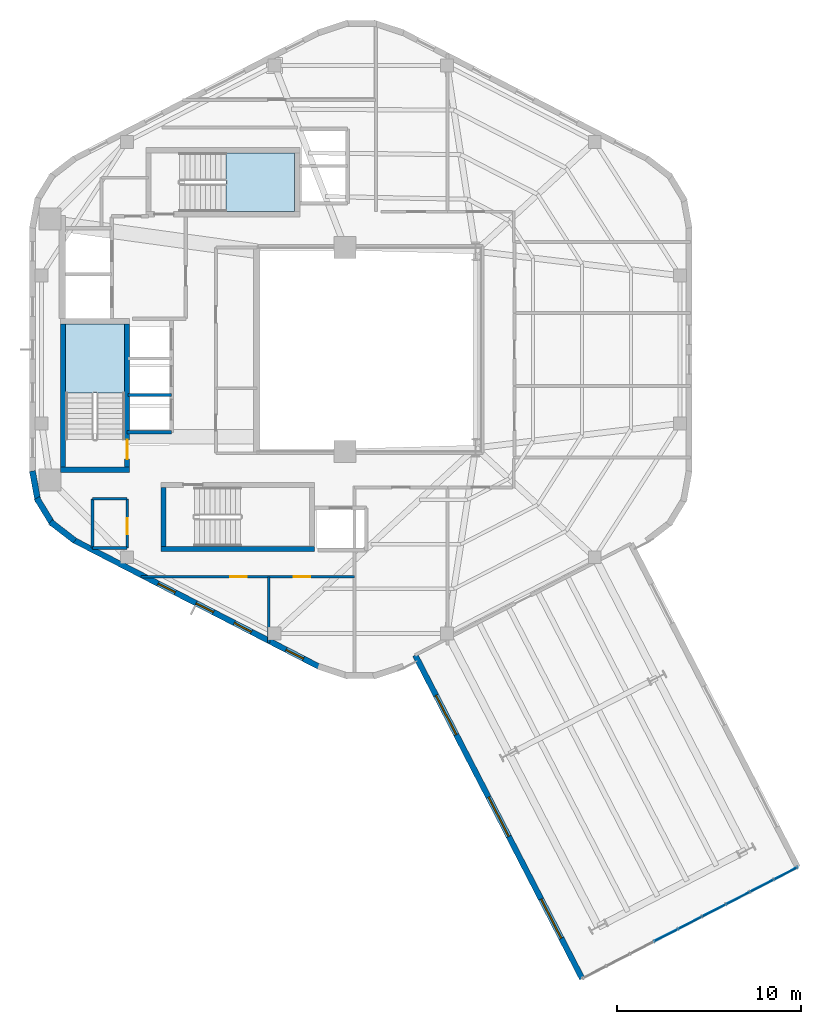
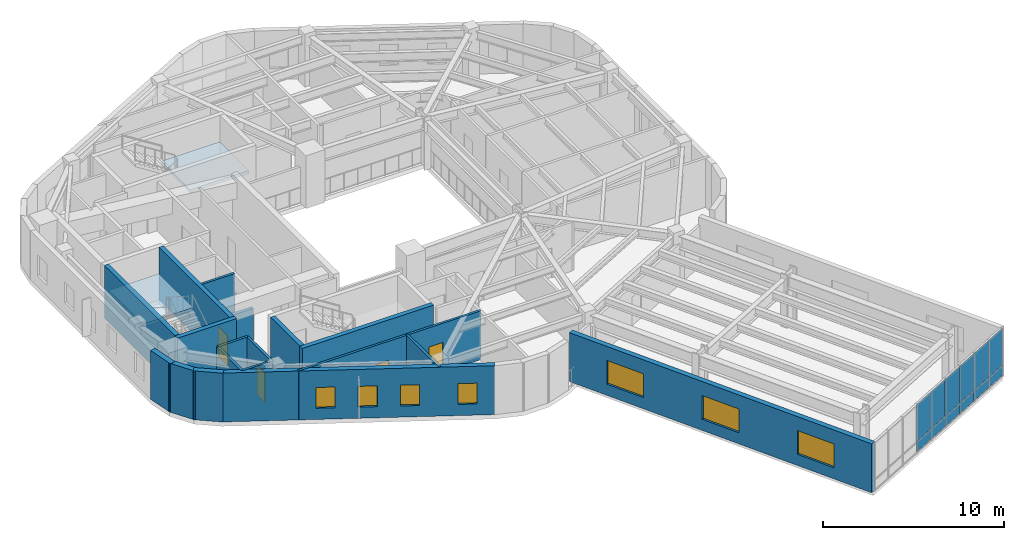
# One storey, part 6 of 11: 18 walls, 12 plates, 7 windows, 4 doors, 2 slabs, 11 openings, 3 elements without a shape of their own.
"""IFC4 building model written with IfcOpenShell, lengths in metres."""

from ifc_helpers import new_model, si_unit, direction, frame, frame_2d, origin, origin_2d, place, context, subcontext, project, spatial, polyline, rectangle, outline, extrude, material, layer, layer_set, type_object, element, fill, aggregate, save


model = new_model("IFC4")

# Units and contexts
model_context = context("Model", 3, precision=1e-05, world=origin(), true_north=direction((0.0, 1.0)))
body_context = subcontext(model_context, "Body", "Model", "MODEL_VIEW")
ifc_project = project(units=[si_unit("LENGTHUNIT", "METRE"), si_unit("AREAUNIT", "SQUARE_METRE"), si_unit("VOLUMEUNIT", "CUBIC_METRE"), si_unit("PLANEANGLEUNIT", "RADIAN"), si_unit("MASSUNIT", "GRAM", prefix="KILO"), si_unit("THERMODYNAMICTEMPERATUREUNIT", "KELVIN"), si_unit("POWERUNIT", "WATT")], contexts=[model_context])

# Site, building, storey
site_placement = place(None, origin())
site = spatial("IfcSite", under=ifc_project, at=site_placement, CompositionType="ELEMENT")
building_placement = place(site_placement, origin())
building = spatial("IfcBuilding", under=site, at=building_placement, Name="Skarre Station Tower", CompositionType="ELEMENT")
storey_placement = place(building_placement, frame((0.0, 0.0, 241.89990234375)))
storey = spatial("IfcBuildingStorey", under=building, at=storey_placement, Name="L66", CompositionType="ELEMENT", Elevation=241.89990234375)

# Curtain wall, plates
ifc_material_1 = material(Name="Thermally Broken Bronze-Anodized Aluminium & Triple Low-E Glass", Category="aluminium")
ifc_layer_1 = layer(ifc_material_1, 0.2099609375, Name="Thermally Broken Bronze-Anodized Aluminium & Triple Low-E Glass")
ifc_layer_set_1 = layer_set([ifc_layer_1], Name="Thermally Broken Bronze-Anodized Aluminium & Triple Low-E Glass")
curtain_wall_type = type_object("IfcCurtainWallType", Name="Sky-Bar Prow Structural Glazed Curtain Wall", PredefinedType="NOTDEFINED", material=ifc_layer_set_1)
curtain_wall_placement = place(storey_placement, origin())
curtain_wall = element("IfcCurtainWall", 1, at=curtain_wall_placement, inside=storey, type_object=curtain_wall_type, Name="L66 SB-5 Lakefront Prow Curtain Wall", PredefinedType="NOTDEFINED")
ifc_material_2 = material(Name="Insulated Bronze Anodized Aluminium Spandrel", Category="aluminium")
ifc_layer_2 = layer(ifc_material_2, 0.052001953125, Name="Insulated Bronze Anodized Aluminium Spandrel")
ifc_layer_set_2 = layer_set([ifc_layer_2], Name="Insulated Bronze Anodized Aluminium Spandrel")
plate_type_1 = type_object("IfcPlateType", Name="Bronze Insulated Spandrel Sheet Panel 52", PredefinedType="SHEET", material=ifc_layer_set_2)
plate_1_placement = place(storey_placement, frame((56.318115234375, -4.4970703125, 0.052001953125), z_axis=(0.0, 0.0, 1.0), x_axis=(-0.888577204547, -0.45872709922, 0.0)))
plate_1 = element("IfcPlate", 2, at=plate_1_placement, type_object=plate_type_1, Name="L66 SB-5 Lakefront Prow Curtain Wall Spandrel Panel 1-1", PredefinedType="SHEET", context=body_context, shape_type="SweptSolid", body=[
    extrude(rectangle(XDim=1.443115234375, YDim=0.052001953125, at=origin_2d()), origin(), (0.0, 0.0, 1.0), 0.68603515625),
])
plate_2_placement = place(storey_placement, frame((55.014892578125, -5.169921875, 0.052001953125), z_axis=(0.0, 0.0, 1.0), x_axis=(-0.888577204547, -0.45872709922, 0.0)))
plate_2 = element("IfcPlate", 3, at=plate_2_placement, type_object=plate_type_1, Name="L66 SB-5 Lakefront Prow Curtain Wall Spandrel Panel 2-1", PredefinedType="SHEET", context=body_context, shape_type="SweptSolid", body=[
    extrude(rectangle(XDim=1.443115234375, YDim=0.052001953125, at=origin_2d()), origin(), (0.0, 0.0, 1.0), 0.68603515625),
])
plate_3_placement = place(storey_placement, frame((53.7119140625, -5.843017578125, 0.052001953125), z_axis=(0.0, 0.0, 1.0), x_axis=(-0.888577204547, -0.45872709922, 0.0)))
plate_3 = element("IfcPlate", 4, at=plate_3_placement, type_object=plate_type_1, Name="L66 SB-5 Lakefront Prow Curtain Wall Spandrel Panel 3-1", PredefinedType="SHEET", context=body_context, shape_type="SweptSolid", body=[
    extrude(rectangle(XDim=1.443115234375, YDim=0.052001953125, at=origin_2d()), origin(), (0.0, 0.0, 1.0), 0.68603515625),
])
plate_4_placement = place(storey_placement, frame((52.408935546875, -6.51611328125, 0.052001953125), z_axis=(0.0, 0.0, 1.0), x_axis=(-0.888577204547, -0.45872709922, 0.0)))
plate_4 = element("IfcPlate", 5, at=plate_4_placement, type_object=plate_type_1, Name="L66 SB-5 Lakefront Prow Curtain Wall Spandrel Panel 4-1", PredefinedType="SHEET", context=body_context, shape_type="SweptSolid", body=[
    extrude(rectangle(XDim=1.443115234375, YDim=0.052001953125, at=origin_2d()), origin(), (0.0, 0.0, 1.0), 0.68603515625),
])
plate_5_placement = place(storey_placement, frame((51.10498046875, -7.18798828125, 0.052001953125), z_axis=(0.0, 0.0, 1.0), x_axis=(-0.888577204547, -0.45872709922, 0.0)))
plate_5 = element("IfcPlate", 6, at=plate_5_placement, type_object=plate_type_1, Name="L66 SB-5 Lakefront Prow Curtain Wall Spandrel Panel 5-1", PredefinedType="SHEET", context=body_context, shape_type="SweptSolid", body=[
    extrude(rectangle(XDim=1.443115234375, YDim=0.052001953125, at=origin_2d()), origin(), (0.0, 0.0, 1.0), 0.68603515625),
])
plate_6_placement = place(storey_placement, frame((49.802001953125, -7.861083984375, 0.052001953125), z_axis=(0.0, 0.0, 1.0), x_axis=(-0.888577204547, -0.45872709922, 0.0)))
plate_6 = element("IfcPlate", 7, at=plate_6_placement, type_object=plate_type_1, Name="L66 SB-5 Lakefront Prow Curtain Wall Spandrel Panel 6-1", PredefinedType="SHEET", context=body_context, shape_type="SweptSolid", body=[
    extrude(rectangle(XDim=1.443115234375, YDim=0.052001953125, at=origin_2d()), origin(), (0.0, 0.0, 1.0), 0.68603515625),
])

# Stair, slab
ifc_material_3 = material(Name="Concrete C40/50", Category="concrete")
stair_type_1 = type_object("IfcStairType", Name="Reinforced Concrete Exit Stair ST-1", PredefinedType="HALF_TURN_STAIR", material=ifc_material_3)
stair_1_placement = place(storey_placement, origin())
stair_1 = element("IfcStair", 8, at=stair_1_placement, inside=storey, type_object=stair_type_1, Name="L66 Core Exit Stair ST-1", PredefinedType="HALF_TURN_STAIR")
ifc_layer_3 = layer(ifc_material_3, 0.219970703125, Name="Concrete C40/50")
ifc_layer_set_3 = layer_set([ifc_layer_3], Name="Concrete C40/50")
slab_type = type_object("IfcSlabType", Name="Reinforced Concrete Stair & Ramp Landing 220", PredefinedType="LANDING", material=ifc_layer_set_3)
slab_1_placement = place(storey_placement, frame((0.0, 0.0, 1.5751953125)))
slab_1 = element("IfcSlab", 9, at=slab_1_placement, type_object=slab_type, Name="ST-1 landing 1", PredefinedType="LANDING", context=body_context, shape_type="SweptSolid", body=[
    extrude(outline(polyline([(20.35009765625, 21.639892578125), (20.35009765625, 25.39990234375), (17.14990234375, 25.39990234375), (17.14990234375, 21.639892578125), (20.35009765625, 21.639892578125)])), origin(), (0.0, 0.0, 1.0), 0.199951171875),
])
aggregate(stair_1, [slab_1])

stair_type_2 = type_object("IfcStairType", Name="Reinforced Concrete Exit Stair ST-3", PredefinedType="HALF_TURN_STAIR", material=ifc_material_3)
stair_2_placement = place(storey_placement, origin())
stair_2 = element("IfcStair", 10, at=stair_2_placement, inside=storey, type_object=stair_type_2, Name="L66 Core Exit Stair ST-3", PredefinedType="HALF_TURN_STAIR")
slab_2_placement = place(storey_placement, frame((0.0, 0.0, 1.5751953125)))
slab_2 = element("IfcSlab", 11, at=slab_2_placement, type_object=slab_type, Name="ST-3 landing 1", PredefinedType="LANDING", context=body_context, shape_type="SweptSolid", body=[
    extrude(outline(polyline([(25.8701171875, 31.5), (29.60009765625, 31.5), (29.60009765625, 34.699951171875), (25.8701171875, 34.699951171875), (25.8701171875, 31.5)])), origin(), (0.0, 0.0, 1.0), 0.199951171875),
])
aggregate(stair_2, [slab_2])

# Plate
ifc_material_4 = material(Name="Low-Iron Triple Insulating Glass Unit", Category="glass")
ifc_layer_4 = layer(ifc_material_4, 0.0439453125, Name="Low-Iron Triple Insulating Glass Unit")
ifc_layer_set_4 = layer_set([ifc_layer_4], Name="Low-Iron Triple Insulating Glass Unit")
plate_type_2 = type_object("IfcPlateType", Name="Triple-Glazed Vision Curtain Panel 44", PredefinedType="CURTAIN_PANEL", material=ifc_layer_set_4)
plate_7_placement = place(storey_placement, frame((56.318115234375, -4.4970703125, 0.761962890625), z_axis=(0.0, 0.0, 1.0), x_axis=(-0.888577204547, -0.45872709922, 0.0)))
plate_7 = element("IfcPlate", 12, at=plate_7_placement, type_object=plate_type_2, Name="L66 SB-5 Lakefront Prow Curtain Wall Vision Panel 1-2", PredefinedType="CURTAIN_PANEL", context=body_context, shape_type="SweptSolid", body=[
    extrude(rectangle(XDim=1.443115234375, YDim=0.0439453125, at=origin_2d()), origin(), (0.0, 0.0, 1.0), 2.47607421875),
])

plate_8_placement = place(storey_placement, frame((55.014892578125, -5.169921875, 0.761962890625), z_axis=(0.0, 0.0, 1.0), x_axis=(-0.888577204547, -0.45872709922, 0.0)))
plate_8 = element("IfcPlate", 13, at=plate_8_placement, type_object=plate_type_2, Name="L66 SB-5 Lakefront Prow Curtain Wall Vision Panel 2-2", PredefinedType="CURTAIN_PANEL", context=body_context, shape_type="SweptSolid", body=[
    extrude(rectangle(XDim=1.443115234375, YDim=0.0439453125, at=origin_2d()), origin(), (0.0, 0.0, 1.0), 2.47607421875),
])

plate_9_placement = place(storey_placement, frame((53.7119140625, -5.843017578125, 0.761962890625), z_axis=(0.0, 0.0, 1.0), x_axis=(-0.888577204547, -0.45872709922, 0.0)))
plate_9 = element("IfcPlate", 14, at=plate_9_placement, type_object=plate_type_2, Name="L66 SB-5 Lakefront Prow Curtain Wall Vision Panel 3-2", PredefinedType="CURTAIN_PANEL", context=body_context, shape_type="SweptSolid", body=[
    extrude(rectangle(XDim=1.443115234375, YDim=0.0439453125, at=origin_2d()), origin(), (0.0, 0.0, 1.0), 2.47607421875),
])

plate_10_placement = place(storey_placement, frame((52.408935546875, -6.51611328125, 0.761962890625), z_axis=(0.0, 0.0, 1.0), x_axis=(-0.888577204547, -0.45872709922, 0.0)))
plate_10 = element("IfcPlate", 15, at=plate_10_placement, type_object=plate_type_2, Name="L66 SB-5 Lakefront Prow Curtain Wall Vision Panel 4-2", PredefinedType="CURTAIN_PANEL", context=body_context, shape_type="SweptSolid", body=[
    extrude(rectangle(XDim=1.443115234375, YDim=0.0439453125, at=origin_2d()), origin(), (0.0, 0.0, 1.0), 2.47607421875),
])

plate_11_placement = place(storey_placement, frame((51.10498046875, -7.18798828125, 0.761962890625), z_axis=(0.0, 0.0, 1.0), x_axis=(-0.888577204547, -0.45872709922, 0.0)))
plate_11 = element("IfcPlate", 16, at=plate_11_placement, type_object=plate_type_2, Name="L66 SB-5 Lakefront Prow Curtain Wall Vision Panel 5-2", PredefinedType="CURTAIN_PANEL", context=body_context, shape_type="SweptSolid", body=[
    extrude(rectangle(XDim=1.443115234375, YDim=0.0439453125, at=origin_2d()), origin(), (0.0, 0.0, 1.0), 2.47607421875),
])

plate_12_placement = place(storey_placement, frame((49.802001953125, -7.861083984375, 0.761962890625), z_axis=(0.0, 0.0, 1.0), x_axis=(-0.888577204547, -0.45872709922, 0.0)))
plate_12 = element("IfcPlate", 17, at=plate_12_placement, type_object=plate_type_2, Name="L66 SB-5 Lakefront Prow Curtain Wall Vision Panel 6-2", PredefinedType="CURTAIN_PANEL", context=body_context, shape_type="SweptSolid", body=[
    extrude(rectangle(XDim=1.443115234375, YDim=0.0439453125, at=origin_2d()), origin(), (0.0, 0.0, 1.0), 2.47607421875),
])

aggregate(curtain_wall, [plate_1, plate_7, plate_2, plate_8, plate_3, plate_9, plate_4, plate_10, plate_5, plate_11, plate_6, plate_12])

# Walls
ifc_material_5 = material(Name="Acoustic Steel-Stud Gypsum Partition", Category="steel")
ifc_layer_5 = layer(ifc_material_5, 0.14990234375, Name="Acoustic Steel-Stud Gypsum Partition")
ifc_layer_set_5 = layer_set([ifc_layer_5], Name="Acoustic Steel-Stud Gypsum Partition")
wall_type_1 = type_object("IfcWallType", Name="Fire-Rated Corridor Acoustic Partition 150", PredefinedType="PARTITIONING", material=ifc_layer_set_5)
wall_1_placement = place(storey_placement, frame((18.60009765625, 15.8798828125, 0.0), z_axis=(0.0, 0.0, 1.0), x_axis=(0.0, -1.0, 0.0)))
element("IfcWall", 18, at=wall_1_placement, inside=storey, type_object=wall_type_1, Name="L66 Interior Partition WL-PT-L66-CSVC-W", PredefinedType="PARTITIONING", context=body_context, shape_type="SweptSolid", body=[
    extrude(rectangle(XDim=2.679931640625, YDim=0.14990234375, at=frame_2d((1.33984375, 0.0))), origin(), (0.0, 0.0, 1.0), 3.2900390625),
])
for number, where, z_axis, x_axis, name in (
    (19, (18.60009765625, 13.199951171875, 0.0), (0.0, 0.0, 1.0), (1.0, 0.0, 0.0), "L66 Interior Partition WL-PT-L66-CSVC-S"),
    (20, (18.60009765625, 15.8798828125, 0.0), (0.0, 0.0, 1.0), (1.0, 0.0, 0.0), "L66 Interior Partition WL-PT-L66-CSVC-N"),
):
    element("IfcWall", number, at=place(storey_placement, frame(where, z_axis=z_axis, x_axis=x_axis)), inside=storey, type_object=wall_type_1, Name=name, PredefinedType="PARTITIONING", context=body_context, shape_type="SweptSolid", body=[
        extrude(rectangle(XDim=1.889892578125, YDim=0.14990234375, at=frame_2d((0.94482421875, 0.0))), origin(), (0.0, 0.0, 1.0), 3.2900390625),
    ])

# Wall, opening, door
wall_2_placement = place(storey_placement, frame((20.489990234375, 13.199951171875, 0.0), z_axis=(0.0, 0.0, 1.0), x_axis=(0.0, 1.0, 0.0)))
wall_2 = element("IfcWall", 21, at=wall_2_placement, inside=storey, type_object=wall_type_1, Name="L66 Interior Partition WL-PT-L66-CSVC-E", PredefinedType="PARTITIONING", context=body_context, shape_type="SweptSolid", body=[
    extrude(rectangle(XDim=2.679931640625, YDim=0.14990234375, at=frame_2d((1.33984375, 0.0))), origin(), (0.0, 0.0, 1.0), 3.2900390625),
])
opening_1_placement = place(wall_2_placement, frame((0.75, 0.0, 0.0)))
opening_1 = element("IfcOpeningElement", 22, at=opening_1_placement, cuts=wall_2, Name="Opening DR-SVC86", PredefinedType="OPENING", context=body_context, shape_type="SweptSolid", body=[
    extrude(rectangle(XDim=0.860107421875, YDim=2.0, at=frame_2d((0.43017578125, 1.0))), frame((0.0, 0.0849609375, 0.0), z_axis=(0.0, -1.0, 0.0), x_axis=(1.0, 0.0, 0.0)), (0.0, 0.0, 1.0), 0.169921875),
])
ifc_material_6 = material(Name="Powder-Coated Hollow-Metal Acoustic Fire Leaf", Category="steel")
door_type_1 = type_object("IfcDoorType", Name="Compact Riser Fire Door FD60 860x2100", OperationType="SINGLE_SWING_LEFT", PredefinedType="DOOR", material=ifc_material_6)
door_1_placement = place(opening_1_placement, origin())
door_1 = element("IfcDoor", 23, at=door_1_placement, inside=storey, type_object=door_type_1, Name="L66 Supply Room Door", OperationType="SINGLE_SWING_LEFT", OverallHeight=2.0, OverallWidth=0.860107421875, PredefinedType="DOOR", context=body_context, shape_type="SweptSolid", body=[
    extrude(rectangle(XDim=0.860107421875, YDim=2.0, at=frame_2d((0.43017578125, 1.0))), frame((0.0, 0.02490234375, 0.0), z_axis=(0.0, -1.0, 0.0), x_axis=(1.0, 0.0, 0.0)), (0.0, 0.0, 1.0), 0.050048828125),
])
fill(opening_1, door_1)

# Wall
wall_3_placement = place(storey_placement, frame((28.199951171875, 8.049072265625, 0.0), z_axis=(0.0, 0.0, 1.0), x_axis=(0.0, 1.0, 0.0)))
element("IfcWall", 24, at=wall_3_placement, inside=storey, type_object=wall_type_1, Name="L66 Interior Partition WL-PT-L66-SWP-M", PredefinedType="PARTITIONING", context=body_context, shape_type="SweptSolid", body=[
    extrude(rectangle(XDim=3.5908203125, YDim=0.14990234375, at=frame_2d((1.79541015625, 0.0))), origin(), (0.0, 0.0, 1.0), 3.2900390625),
])

# Wall, openings, doors
wall_4_placement = place(storey_placement, frame((21.243896484375, 11.639892578125, 0.0), z_axis=(0.0, 0.0, 1.0), x_axis=(1.0, 0.0, 0.0)))
wall_4 = element("IfcWall", 25, at=wall_4_placement, inside=storey, type_object=wall_type_1, Name="L66 Interior Partition WL-PT-L66-SWP-N", PredefinedType="PARTITIONING", context=body_context, shape_type="SweptSolid", body=[
    extrude(rectangle(XDim=11.606201171875, YDim=0.14990234375, at=frame_2d((5.80322265625, 0.0))), origin(), (0.0, 0.0, 1.0), 3.2900390625),
])
opening_2_placement = place(wall_4_placement, frame((4.85595703125, 0.0, 0.0)))
opening_2 = element("IfcOpeningElement", 26, at=opening_2_placement, cuts=wall_4, Name="Opening DR-SVC90", PredefinedType="OPENING", context=body_context, shape_type="SweptSolid", body=[
    extrude(rectangle(XDim=0.89990234375, YDim=2.0, at=frame_2d((0.449951171875, 1.0))), frame((0.0, 0.0849609375, 0.0), z_axis=(0.0, -1.0, 0.0), x_axis=(1.0, 0.0, 0.0)), (0.0, 0.0, 1.0), 0.169921875),
])
opening_3_placement = place(wall_4_placement, frame((8.305908203125, 0.0, 0.0)))
opening_3 = element("IfcOpeningElement", 27, at=opening_3_placement, cuts=wall_4, Name="Opening DR-SVC90", PredefinedType="OPENING", context=body_context, shape_type="SweptSolid", body=[
    extrude(rectangle(XDim=0.89990234375, YDim=2.0, at=frame_2d((0.449951171875, 1.0))), frame((0.0, 0.0849609375, 0.0), z_axis=(0.0, -1.0, 0.0), x_axis=(1.0, 0.0, 0.0)), (0.0, 0.0, 1.0), 0.169921875),
])
door_type_2 = type_object("IfcDoorType", Name="Service & Riser Fire Door FD60 900x2100", OperationType="SINGLE_SWING_LEFT", PredefinedType="DOOR", material=ifc_material_6)
door_2_placement = place(opening_2_placement, origin())
door_2 = element("IfcDoor", 28, at=door_2_placement, inside=storey, type_object=door_type_2, Name="L66 Floor Public Toilets Door", OperationType="SINGLE_SWING_LEFT", OverallHeight=2.0, OverallWidth=0.89990234375, PredefinedType="DOOR", context=body_context, shape_type="SweptSolid", body=[
    extrude(rectangle(XDim=0.89990234375, YDim=2.0, at=frame_2d((0.449951171875, 1.0))), frame((0.0, 0.02490234375, 0.0), z_axis=(0.0, -1.0, 0.0), x_axis=(1.0, 0.0, 0.0)), (0.0, 0.0, 1.0), 0.050048828125),
])
fill(opening_2, door_2)
door_3_placement = place(opening_3_placement, origin())
door_3 = element("IfcDoor", 29, at=door_3_placement, inside=storey, type_object=door_type_2, Name="L66 South-West Study Door", OperationType="SINGLE_SWING_LEFT", OverallHeight=2.0, OverallWidth=0.89990234375, PredefinedType="DOOR", context=body_context, shape_type="SweptSolid", body=[
    extrude(rectangle(XDim=0.89990234375, YDim=2.0, at=frame_2d((0.449951171875, 1.0))), frame((0.0, 0.02490234375, 0.0), z_axis=(0.0, -1.0, 0.0), x_axis=(1.0, 0.0, 0.0)), (0.0, 0.0, 1.0), 0.050048828125),
])
fill(opening_3, door_3)

# Walls
ifc_material_7 = material(Name="Precast concrete C45/55", Category="concrete")
ifc_layer_6 = layer(ifc_material_7, 0.330078125, Name="Precast concrete C45/55")
ifc_layer_set_6 = layer_set([ifc_layer_6], Name="Precast concrete C45/55")
wall_type_2 = type_object("IfcWallType", Name="Nordic Rounded Corner Precast Wall 330", PredefinedType="STANDARD", material=ifc_layer_set_6)
wall_5_placement = place(storey_placement, frame((17.64697265625, 13.59912109375, 0.0), z_axis=(0.0, 0.0, 1.0), x_axis=(-0.790691856293, 0.61221433207, 0.0)))
element("IfcWall", 30, at=wall_5_placement, inside=storey, type_object=wall_type_2, Name="L66 Rounded Corner Precast Wall F3-1", PredefinedType="STANDARD", context=body_context, shape_type="SweptSolid", body=[
    extrude(rectangle(XDim=1.67578125, YDim=0.330078125, at=frame_2d((0.837890625, 0.0))), origin(), (0.0, 0.0, 1.0), 3.2900390625),
])
wall_6_placement = place(storey_placement, frame((16.447021484375, 14.485107421875, 0.0), z_axis=(0.0, 0.0, 1.0), x_axis=(-0.520325409202, 0.853968072318, 0.0)))
element("IfcWall", 31, at=wall_6_placement, inside=storey, type_object=wall_type_2, Name="L66 Rounded Corner Precast Wall F3-2", PredefinedType="STANDARD", context=body_context, shape_type="SweptSolid", body=[
    extrude(rectangle(XDim=1.677978515625, YDim=0.330078125, at=frame_2d((0.8388671875, 0.0))), origin(), (0.0, 0.0, 1.0), 3.2900390625),
])
wall_7_placement = place(storey_placement, frame((15.64111328125, 15.742919921875, 0.0), z_axis=(0.0, 0.0, 1.0), x_axis=(-0.180832605401, 0.983513888475, 0.0)))
element("IfcWall", 32, at=wall_7_placement, inside=storey, type_object=wall_type_2, Name="L66 Rounded Corner Precast Wall F3-3", PredefinedType="STANDARD", context=body_context, shape_type="SweptSolid", body=[
    extrude(rectangle(XDim=1.6767578125, YDim=0.330078125, at=frame_2d((0.83837890625, 0.0))), origin(), (0.0, 0.0, 1.0), 3.2900390625),
])

# Wall, openings, windows
ifc_layer_7 = layer(ifc_material_7, 0.31005859375, Name="Precast concrete C45/55")
ifc_layer_set_7 = layer_set([ifc_layer_7], Name="Precast concrete C45/55")
wall_type_3 = type_object("IfcWallType", Name="Nordic Upper-Zone Precast Facet Wall 310", PredefinedType="STANDARD", material=ifc_layer_set_7)
wall_8_placement = place(storey_placement, frame((30.962890625, 6.72998046875, 0.0), z_axis=(0.0, 0.0, 1.0), x_axis=(-0.888581481622, 0.458718814218, 0.0)))
wall_8 = element("IfcWall", 33, at=wall_8_placement, inside=storey, type_object=wall_type_3, Name="L66 Facet 3 Nordic Precast Masonry Wall", PredefinedType="STANDARD", context=body_context, shape_type="SweptSolid", body=[
    extrude(rectangle(XDim=15.076904296875, YDim=0.31005859375, at=frame_2d((7.53857421875, 0.0))), origin(), (0.0, 0.0, 1.0), 3.2900390625),
])
opening_4_placement = place(wall_8_placement, frame((0.998046875, 0.0, 0.75)))
opening_4 = element("IfcOpeningElement", 34, at=opening_4_placement, cuts=wall_8, Name="Opening WN-SLT", PredefinedType="OPENING", context=body_context, shape_type="SweptSolid", body=[
    extrude(rectangle(XDim=1.050048828125, YDim=1.39990234375, at=frame_2d((0.52490234375, 0.699951171875))), frame((0.0, 0.1650390625, 0.0), z_axis=(0.0, -1.0, 0.0), x_axis=(1.0, 0.0, 0.0)), (0.0, 0.0, 1.0), 0.330078125),
])
opening_5_placement = place(wall_8_placement, frame((4.176025390625, 0.0, 0.75)))
opening_5 = element("IfcOpeningElement", 35, at=opening_5_placement, cuts=wall_8, Name="Opening WN-SLT", PredefinedType="OPENING", context=body_context, shape_type="SweptSolid", body=[
    extrude(rectangle(XDim=1.050048828125, YDim=1.39990234375, at=frame_2d((0.52490234375, 0.699951171875))), frame((0.0, 0.1650390625, 0.0), z_axis=(0.0, -1.0, 0.0), x_axis=(1.0, 0.0, 0.0)), (0.0, 0.0, 1.0), 0.330078125),
])
opening_6_placement = place(wall_8_placement, frame((6.509033203125, 0.0, 0.75)))
opening_6 = element("IfcOpeningElement", 36, at=opening_6_placement, cuts=wall_8, Name="Opening WN-SLT", PredefinedType="OPENING", context=body_context, shape_type="SweptSolid", body=[
    extrude(rectangle(XDim=1.050048828125, YDim=1.39990234375, at=frame_2d((0.52490234375, 0.699951171875))), frame((0.0, 0.1650390625, 0.0), z_axis=(0.0, -1.0, 0.0), x_axis=(1.0, 0.0, 0.0)), (0.0, 0.0, 1.0), 0.330078125),
])
opening_7_placement = place(wall_8_placement, frame((8.842041015625, 0.0, 0.75)))
opening_7 = element("IfcOpeningElement", 37, at=opening_7_placement, cuts=wall_8, Name="Opening WN-SLT", PredefinedType="OPENING", context=body_context, shape_type="SweptSolid", body=[
    extrude(rectangle(XDim=1.050048828125, YDim=1.39990234375, at=frame_2d((0.52490234375, 0.699951171875))), frame((0.0, 0.1650390625, 0.0), z_axis=(0.0, -1.0, 0.0), x_axis=(1.0, 0.0, 0.0)), (0.0, 0.0, 1.0), 0.330078125),
])
ifc_material_8 = material(Name="Low-Iron Triple Glazing with Bronze Anodized Frame", Category="glass")
window_type_1 = type_object("IfcWindowType", Name="Nordic Corner Slot Window 1050x1400", PartitioningType="SINGLE_PANEL", PredefinedType="WINDOW", material=ifc_material_8)
window_1_placement = place(opening_4_placement, origin())
window_1 = element("IfcWindow", 38, at=window_1_placement, inside=storey, type_object=window_type_1, Name="L66 Facade Window WL-FAC-L66-F3-1", OverallHeight=1.39990234375, OverallWidth=1.050048828125, PartitioningType="SINGLE_PANEL", PredefinedType="WINDOW", context=body_context, shape_type="SweptSolid", body=[
    extrude(rectangle(XDim=1.050048828125, YDim=1.39990234375, at=frame_2d((0.52490234375, 0.699951171875))), frame((0.0, 0.030029296875, 0.0), z_axis=(0.0, -1.0, 0.0), x_axis=(1.0, 0.0, 0.0)), (0.0, 0.0, 1.0), 0.06005859375),
])
fill(opening_4, window_1)
window_2_placement = place(opening_5_placement, origin())
window_2 = element("IfcWindow", 39, at=window_2_placement, inside=storey, type_object=window_type_1, Name="L66 Facade Window WL-FAC-L66-F3-2", OverallHeight=1.39990234375, OverallWidth=1.050048828125, PartitioningType="SINGLE_PANEL", PredefinedType="WINDOW", context=body_context, shape_type="SweptSolid", body=[
    extrude(rectangle(XDim=1.050048828125, YDim=1.39990234375, at=frame_2d((0.52490234375, 0.699951171875))), frame((0.0, 0.030029296875, 0.0), z_axis=(0.0, -1.0, 0.0), x_axis=(1.0, 0.0, 0.0)), (0.0, 0.0, 1.0), 0.06005859375),
])
fill(opening_5, window_2)
window_3_placement = place(opening_6_placement, origin())
window_3 = element("IfcWindow", 40, at=window_3_placement, inside=storey, type_object=window_type_1, Name="L66 Facade Window WL-FAC-L66-F3-3", OverallHeight=1.39990234375, OverallWidth=1.050048828125, PartitioningType="SINGLE_PANEL", PredefinedType="WINDOW", context=body_context, shape_type="SweptSolid", body=[
    extrude(rectangle(XDim=1.050048828125, YDim=1.39990234375, at=frame_2d((0.52490234375, 0.699951171875))), frame((0.0, 0.030029296875, 0.0), z_axis=(0.0, -1.0, 0.0), x_axis=(1.0, 0.0, 0.0)), (0.0, 0.0, 1.0), 0.06005859375),
])
fill(opening_6, window_3)
window_4_placement = place(opening_7_placement, origin())
window_4 = element("IfcWindow", 41, at=window_4_placement, inside=storey, type_object=window_type_1, Name="L66 Facade Window WL-FAC-L66-F3-4", OverallHeight=1.39990234375, OverallWidth=1.050048828125, PartitioningType="SINGLE_PANEL", PredefinedType="WINDOW", context=body_context, shape_type="SweptSolid", body=[
    extrude(rectangle(XDim=1.050048828125, YDim=1.39990234375, at=frame_2d((0.52490234375, 0.699951171875))), frame((0.0, 0.030029296875, 0.0), z_axis=(0.0, -1.0, 0.0), x_axis=(1.0, 0.0, 0.0)), (0.0, 0.0, 1.0), 0.06005859375),
])
fill(opening_7, window_4)

wall_9_placement = place(storey_placement, frame((45.240966796875, -10.216064453125, 0.0), z_axis=(0.0, 0.0, 1.0), x_axis=(-0.45873211625, 0.888574614493, 0.0)))
wall_9 = element("IfcWall", 42, at=wall_9_placement, inside=storey, type_object=wall_type_3, Name="L66 SB-5 Side 1 Precast Wall", PredefinedType="STANDARD", context=body_context, shape_type="SweptSolid", body=[
    extrude(rectangle(XDim=19.80029296875, YDim=0.31005859375, at=frame_2d((9.900146484375, 0.0))), origin(), (0.0, 0.0, 1.0), 3.2900390625),
])
opening_8_placement = place(wall_9_placement, frame((2.467041015625, 0.0, 0.75)))
opening_8 = element("IfcOpeningElement", 43, at=opening_8_placement, cuts=wall_9, Name="Opening WN-Z4A", PredefinedType="OPENING", context=body_context, shape_type="SweptSolid", body=[
    extrude(rectangle(XDim=2.39990234375, YDim=1.60009765625, at=frame_2d((1.199951171875, 0.800048828125))), frame((0.0, 0.1650390625, 0.0), z_axis=(0.0, -1.0, 0.0), x_axis=(1.0, 0.0, 0.0)), (0.0, 0.0, 1.0), 0.330078125),
])
opening_9_placement = place(wall_9_placement, frame((8.699951171875, 0.0, 0.75)))
opening_9 = element("IfcOpeningElement", 44, at=opening_9_placement, cuts=wall_9, Name="Opening WN-Z4A", PredefinedType="OPENING", context=body_context, shape_type="SweptSolid", body=[
    extrude(rectangle(XDim=2.39990234375, YDim=1.60009765625, at=frame_2d((1.199951171875, 0.800048828125))), frame((0.0, 0.1650390625, 0.0), z_axis=(0.0, -1.0, 0.0), x_axis=(1.0, 0.0, 0.0)), (0.0, 0.0, 1.0), 0.330078125),
])
opening_10_placement = place(wall_9_placement, frame((14.93408203125, 0.0, 0.75)))
opening_10 = element("IfcOpeningElement", 45, at=opening_10_placement, cuts=wall_9, Name="Opening WN-Z4A", PredefinedType="OPENING", context=body_context, shape_type="SweptSolid", body=[
    extrude(rectangle(XDim=2.39990234375, YDim=1.60009765625, at=frame_2d((1.199951171875, 0.800048828125))), frame((0.0, 0.1650390625, 0.0), z_axis=(0.0, -1.0, 0.0), x_axis=(1.0, 0.0, 0.0)), (0.0, 0.0, 1.0), 0.330078125),
])
window_type_2 = type_object("IfcWindowType", Name="Nordic Crown Panorama Window 2400x1600", PartitioningType="SINGLE_PANEL", PredefinedType="WINDOW", material=ifc_material_8)
window_5_placement = place(opening_8_placement, origin())
window_5 = element("IfcWindow", 46, at=window_5_placement, inside=storey, type_object=window_type_2, Name="L66 Facade Window WL-SB-5-L66-S1-1", OverallHeight=1.60009765625, OverallWidth=2.39990234375, PartitioningType="SINGLE_PANEL", PredefinedType="WINDOW", context=body_context, shape_type="SweptSolid", body=[
    extrude(rectangle(XDim=2.39990234375, YDim=1.60009765625, at=frame_2d((1.199951171875, 0.800048828125))), frame((0.0, 0.030029296875, 0.0), z_axis=(0.0, -1.0, 0.0), x_axis=(1.0, 0.0, 0.0)), (0.0, 0.0, 1.0), 0.06005859375),
])
fill(opening_8, window_5)
window_6_placement = place(opening_9_placement, origin())
window_6 = element("IfcWindow", 47, at=window_6_placement, inside=storey, type_object=window_type_2, Name="L66 Facade Window WL-SB-5-L66-S1-2", OverallHeight=1.60009765625, OverallWidth=2.39990234375, PartitioningType="SINGLE_PANEL", PredefinedType="WINDOW", context=body_context, shape_type="SweptSolid", body=[
    extrude(rectangle(XDim=2.39990234375, YDim=1.60009765625, at=frame_2d((1.199951171875, 0.800048828125))), frame((0.0, 0.030029296875, 0.0), z_axis=(0.0, -1.0, 0.0), x_axis=(1.0, 0.0, 0.0)), (0.0, 0.0, 1.0), 0.06005859375),
])
fill(opening_9, window_6)
window_7_placement = place(opening_10_placement, origin())
window_7 = element("IfcWindow", 48, at=window_7_placement, inside=storey, type_object=window_type_2, Name="L66 Facade Window WL-SB-5-L66-S1-3", OverallHeight=1.60009765625, OverallWidth=2.39990234375, PartitioningType="SINGLE_PANEL", PredefinedType="WINDOW", context=body_context, shape_type="SweptSolid", body=[
    extrude(rectangle(XDim=2.39990234375, YDim=1.60009765625, at=frame_2d((1.199951171875, 0.800048828125))), frame((0.0, 0.030029296875, 0.0), z_axis=(0.0, -1.0, 0.0), x_axis=(1.0, 0.0, 0.0)), (0.0, 0.0, 1.0), 0.06005859375),
])
fill(opening_10, window_7)

# Walls
ifc_material_9 = material(Name="Concrete C50/60", Category="concrete")
ifc_layer_8 = layer(ifc_material_9, 0.280029296875, Name="Concrete C50/60")
ifc_layer_set_8 = layer_set([ifc_layer_8], Name="Concrete C50/60")
wall_type_4 = type_object("IfcWallType", Name="RC Core Shear Wall 280", PredefinedType="SHEAR", material=ifc_layer_set_8)
wall_10_placement = place(storey_placement, frame((16.8701171875, 17.4599609375, 0.0), z_axis=(0.0, 0.0, 1.0), x_axis=(1.0, 0.0, 0.0)))
element("IfcWall", 49, at=wall_10_placement, inside=storey, type_object=wall_type_4, Name="L66 Stair ST-1 South Shear Wall", PredefinedType="SHEAR", context=body_context, shape_type="SweptSolid", body=[
    extrude(rectangle(XDim=3.759765625, YDim=0.280029296875, at=frame_2d((1.8798828125, 0.0))), origin(), (0.0, 0.0, 1.0), 3.550048828125),
])
wall_11_placement = place(storey_placement, frame((17.010009765625, 25.39990234375, 0.0), z_axis=(0.0, 0.0, 1.0), x_axis=(0.0, -1.0, 0.0)))
element("IfcWall", 50, at=wall_11_placement, inside=storey, type_object=wall_type_4, Name="L66 Stair ST-1 West Shear Wall", PredefinedType="SHEAR", context=body_context, shape_type="SweptSolid", body=[
    extrude(rectangle(XDim=7.7998046875, YDim=0.280029296875, at=frame_2d((3.89990234375, 0.0))), origin(), (0.0, 0.0, 1.0), 3.550048828125),
])

# Wall, opening, door
wall_12_placement = place(storey_placement, frame((20.489990234375, 17.60009765625, 0.0), z_axis=(0.0, 0.0, 1.0), x_axis=(0.0, 1.0, 0.0)))
wall_12 = element("IfcWall", 51, at=wall_12_placement, inside=storey, type_object=wall_type_4, Name="L66 Stair ST-1 East Shear Wall", PredefinedType="SHEAR", context=body_context, shape_type="SweptSolid", body=[
    extrude(rectangle(XDim=7.7998046875, YDim=0.280029296875, at=frame_2d((3.89990234375, 0.0))), origin(), (0.0, 0.0, 1.0), 3.550048828125),
])
opening_11_placement = place(wall_12_placement, frame((0.43994140625, 0.0, 0.0)))
opening_11 = element("IfcOpeningElement", 52, at=opening_11_placement, cuts=wall_12, Name="Opening DR-FD90", PredefinedType="OPENING", context=body_context, shape_type="SweptSolid", body=[
    extrude(rectangle(XDim=1.050048828125, YDim=2.0, at=frame_2d((0.52490234375, 1.0))), frame((0.0, 0.14990234375, 0.0), z_axis=(0.0, -1.0, 0.0), x_axis=(1.0, 0.0, 0.0)), (0.0, 0.0, 1.0), 0.300048828125),
])
ifc_material_10 = material(Name="Fire-Rated Insulated Steel Frame & Timber Core Leaf", Category="steel")
door_type_3 = type_object("IfcDoorType", Name="Stair & FSAE Lobby Fire Door FD90 1050x2150", OperationType="SINGLE_SWING_RIGHT", PredefinedType="DOOR", material=ifc_material_10)
door_4_placement = place(opening_11_placement, origin())
door_4 = element("IfcDoor", 53, at=door_4_placement, inside=storey, type_object=door_type_3, Name="L66 Stair ST-1 Exit Door", OperationType="SINGLE_SWING_RIGHT", OverallHeight=2.0, OverallWidth=1.050048828125, PredefinedType="DOOR", context=body_context, shape_type="SweptSolid", body=[
    extrude(rectangle(XDim=1.050048828125, YDim=2.0, at=frame_2d((0.52490234375, 1.0))), frame((0.0, 0.02490234375, 0.0), z_axis=(0.0, -1.0, 0.0), x_axis=(1.0, 0.0, 0.0)), (0.0, 0.0, 1.0), 0.050048828125),
])
fill(opening_11, door_4)

# Walls
wall_13_placement = place(storey_placement, frame((22.320068359375, 13.159912109375, 0.0), z_axis=(0.0, 0.0, 1.0), x_axis=(1.0, 0.0, 0.0)))
element("IfcWall", 54, at=wall_13_placement, inside=storey, type_object=wall_type_4, Name="L66 Stair ST-2 South Shear Wall", PredefinedType="SHEAR", context=body_context, shape_type="SweptSolid", body=[
    extrude(rectangle(XDim=8.35986328125, YDim=0.280029296875, at=frame_2d((4.179931640625, 0.0))), origin(), (0.0, 0.0, 1.0), 3.550048828125),
])
wall_14_placement = place(storey_placement, frame((22.4599609375, 16.5, 0.0), z_axis=(0.0, 0.0, 1.0), x_axis=(0.0, -1.0, 0.0)))
element("IfcWall", 55, at=wall_14_placement, inside=storey, type_object=wall_type_4, Name="L66 Stair ST-2 West Shear Wall", PredefinedType="SHEAR", context=body_context, shape_type="SweptSolid", body=[
    extrude(rectangle(XDim=3.199951171875, YDim=0.280029296875, at=frame_2d((1.60009765625, 0.0))), origin(), (0.0, 0.0, 1.0), 3.550048828125),
])
ifc_material_11 = material(Name="Gypsum Concrete Shaft Assembly C30/37", Category="concrete")
ifc_layer_9 = layer(ifc_material_11, 0.199951171875, Name="Gypsum Concrete Shaft Assembly C30/37")
ifc_layer_set_9 = layer_set([ifc_layer_9], Name="Gypsum Concrete Shaft Assembly C30/37")
wall_type_5 = type_object("IfcWallType", Name="Shaft & Core Fire Partition 200", PredefinedType="PARTITIONING", material=ifc_layer_set_9)
wall_15_placement = place(storey_placement, frame((20.489990234375, 19.5, 0.0), z_axis=(0.0, 0.0, 1.0), x_axis=(1.0, 0.0, 0.0)))
element("IfcWall", 56, at=wall_15_placement, inside=storey, type_object=wall_type_5, Name="L66 Interior Partition WL-PT-L66-B3-S", PredefinedType="PARTITIONING", context=body_context, shape_type="SweptSolid", body=[
    extrude(rectangle(XDim=2.409912109375, YDim=0.199951171875, at=frame_2d((1.205078125, 0.0))), origin(), (0.0, 0.0, 1.0), 2.190185546875),
])
wall_16_placement = place(storey_placement, frame((20.550048828125, 21.52001953125, 0.0), z_axis=(0.0, 0.0, 1.0), x_axis=(1.0, 0.0, 0.0)))
element("IfcWall", 57, at=wall_16_placement, inside=storey, type_object=wall_type_5, Name="L66 Interior Partition WL-PT-L66-B3-D1", PredefinedType="PARTITIONING", context=body_context, shape_type="SweptSolid", body=[
    extrude(rectangle(XDim=2.349853515625, YDim=0.159912109375, at=frame_2d((1.1748046875, 0.0))), origin(), (0.0, 0.0, 1.0), 3.2900390625),
])

save(model, "model.ifc")
